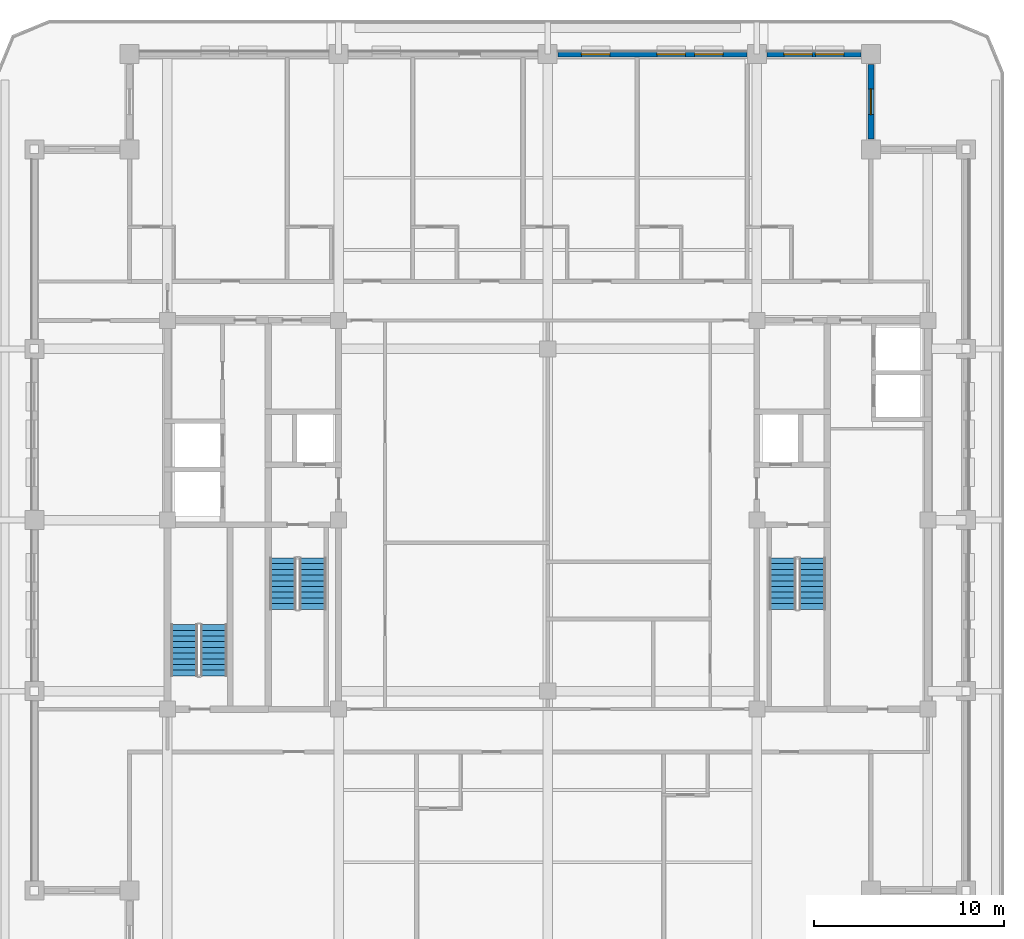
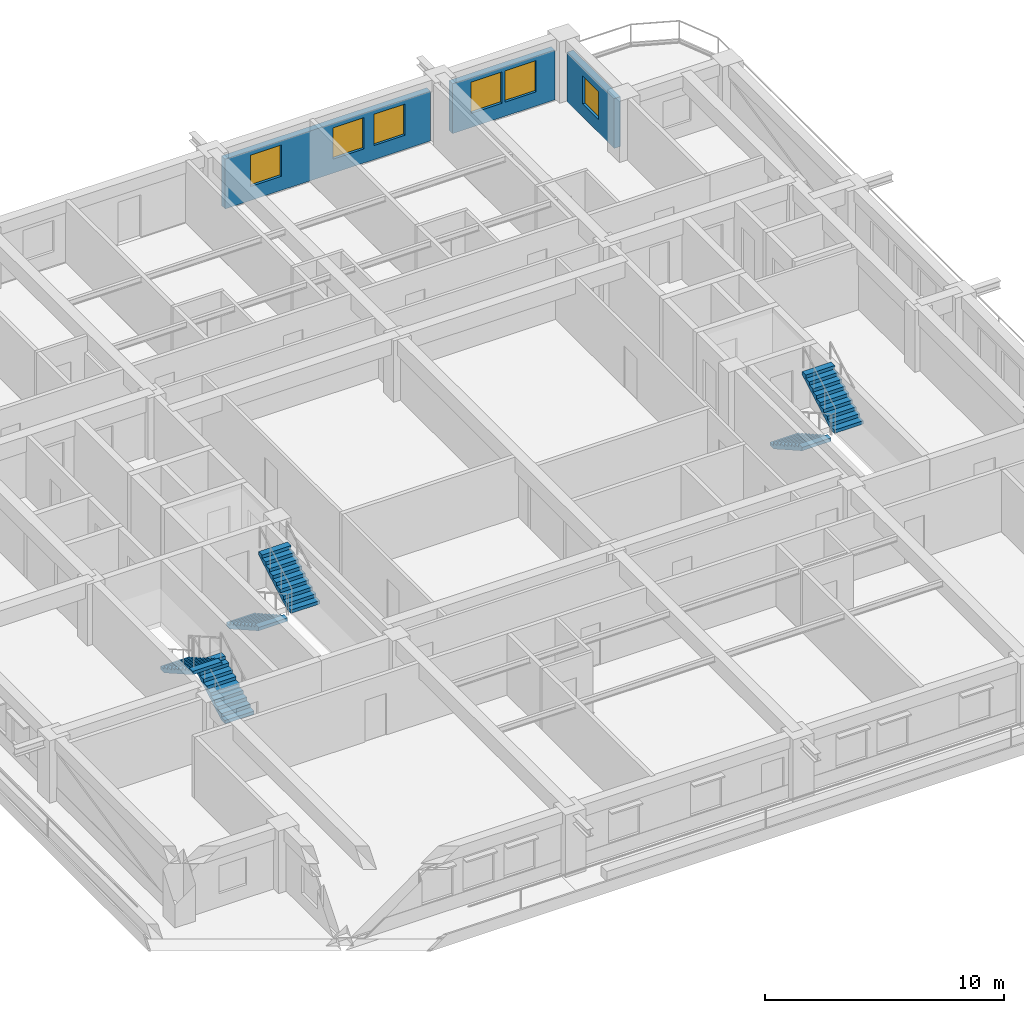
# One storey, part 7 of 14: 6 stair flights, 6 windows, 3 walls, 6 openings, 3 elements without a shape of their own.
"""IFC4 building model written with IfcOpenShell, lengths in metres."""

from ifc_helpers import new_model, si_unit, direction, frame, frame_2d, origin, place, context, subcontext, project, spatial, polyline, rectangle, outline, extrude, material, layer, layer_set, type_object, element, fill, aggregate, save


model = new_model("IFC4")

# Units and contexts
model_context = context("Model", 3, precision=1e-05, world=origin(), true_north=direction((0.0, 1.0)))
body_context = subcontext(model_context, "Body", "Model", "MODEL_VIEW")
ifc_project = project(units=[si_unit("LENGTHUNIT", "METRE"), si_unit("AREAUNIT", "SQUARE_METRE"), si_unit("VOLUMEUNIT", "CUBIC_METRE"), si_unit("PLANEANGLEUNIT", "RADIAN"), si_unit("MASSUNIT", "GRAM", prefix="KILO")], contexts=[model_context])

# Site, building, storey
site_placement = place(None, origin())
site = spatial("IfcSite", under=ifc_project, at=site_placement, CompositionType="ELEMENT")
building_placement = place(site_placement, origin())
building = spatial("IfcBuilding", under=site, at=building_placement, Name="Zulmaris Gate Convention Tower", CompositionType="ELEMENT")
storey_placement = place(building_placement, frame((0.0, 0.0, 194.85986328125)))
storey = spatial("IfcBuildingStorey", under=building, at=storey_placement, Name="L50", CompositionType="ELEMENT", Elevation=194.85986328125)

# Wall, opening, window
ifc_material_1 = material(Name="Precast concrete C40/50", Category="concrete")
ifc_layer_1 = layer(ifc_material_1, 0.300048828125, Name="Precast concrete C40/50")
ifc_layer_set_1 = layer_set([ifc_layer_1], Name="Precast concrete C40/50")
wall_type = type_object("IfcWallType", Name="PRECAST-PIER-300", PredefinedType="STANDARD", material=ifc_layer_set_1)
wall_1_placement = place(storey_placement, frame((17.0, 20.030029296875, 0.0), z_axis=(0.0, 0.0, 1.0), x_axis=(0.0, 1.0, 0.0)))
wall_1 = element("IfcWall", 1, at=wall_1_placement, inside=storey, type_object=wall_type, Name="EW-L50-NOTCH-NE2_0", PredefinedType="STANDARD", context=body_context, shape_type="SweptSolid", body=[
    extrude(rectangle(XDim=3.93994140625, YDim=0.300048828125, at=frame_2d((1.969970703125, 0.0))), origin(), (0.0, 0.0, 1.0), 2.542236328125),
])
opening_1_placement = place(wall_1_placement, frame((1.294921875, 0.0, 0.679931640625)))
opening_1 = element("IfcOpeningElement", 2, at=opening_1_placement, cuts=wall_1, Name="Opening W-10", PredefinedType="OPENING", context=body_context, shape_type="SweptSolid", body=[
    extrude(rectangle(XDim=1.35009765625, YDim=1.419921875, at=frame_2d((0.675048828125, 0.7099609375))), frame((0.0, 0.16015625, 0.0), z_axis=(0.0, -1.0, 0.0), x_axis=(1.0, 0.0, 0.0)), (0.0, 0.0, 1.0), 0.320068359375),
])
ifc_material_2 = material(Name="Low-E Laminated Double Glazing in Aluminium Frame", Category="aluminium")
window_type_1 = type_object("IfcWindowType", Name="WIN-1350x2000", PartitioningType="SINGLE_PANEL", PredefinedType="WINDOW", material=ifc_material_2)
window_1_placement = place(opening_1_placement, origin())
window_1 = element("IfcWindow", 3, at=window_1_placement, inside=storey, type_object=window_type_1, Name="WN-EW-L50-NOTCH-NE2_0", OverallHeight=1.419921875, OverallWidth=1.35009765625, PartitioningType="SINGLE_PANEL", PredefinedType="WINDOW", context=body_context, shape_type="SweptSolid", body=[
    extrude(rectangle(XDim=1.35009765625, YDim=1.419921875, at=frame_2d((0.675048828125, 0.7099609375))), frame((0.0, 0.030029296875, 0.0), z_axis=(0.0, -1.0, 0.0), x_axis=(1.0, 0.0, 0.0)), (0.0, 0.0, 1.0), 0.06005859375),
])
fill(opening_1, window_1)

# Wall, openings, windows
wall_2_placement = place(storey_placement, frame((10.469970703125, 24.5, 0.0), z_axis=(0.0, 0.0, 1.0), x_axis=(-1.0, 0.0, 0.0)))
wall_2 = element("IfcWall", 4, at=wall_2_placement, inside=storey, type_object=wall_type, Name="EW-L50-N-2_0", PredefinedType="STANDARD", context=body_context, shape_type="SweptSolid", body=[
    extrude(rectangle(XDim=9.93994140625, YDim=0.300048828125, at=frame_2d((4.969970703125, 0.0))), origin(), (0.0, 0.0, 1.0), 2.542236328125),
])
opening_2_placement = place(wall_2_placement, frame((1.238037109375, 0.0, 0.719970703125)))
opening_2 = element("IfcOpeningElement", 5, at=opening_2_placement, cuts=wall_2, Name="Opening W-03", PredefinedType="OPENING", context=body_context, shape_type="SweptSolid", body=[
    extrude(rectangle(XDim=1.5, YDim=1.60009765625, at=frame_2d((0.75, 0.800048828125))), frame((0.0, 0.16015625, 0.0), z_axis=(0.0, -1.0, 0.0), x_axis=(1.0, 0.0, 0.0)), (0.0, 0.0, 1.0), 0.320068359375),
])
opening_3_placement = place(wall_2_placement, frame((3.22607421875, 0.0, 0.719970703125)))
opening_3 = element("IfcOpeningElement", 6, at=opening_3_placement, cuts=wall_2, Name="Opening W-03", PredefinedType="OPENING", context=body_context, shape_type="SweptSolid", body=[
    extrude(rectangle(XDim=1.5, YDim=1.60009765625, at=frame_2d((0.75, 0.800048828125))), frame((0.0, 0.16015625, 0.0), z_axis=(0.0, -1.0, 0.0), x_axis=(1.0, 0.0, 0.0)), (0.0, 0.0, 1.0), 0.320068359375),
])
opening_4_placement = place(wall_2_placement, frame((7.201904296875, 0.0, 0.719970703125)))
opening_4 = element("IfcOpeningElement", 7, at=opening_4_placement, cuts=wall_2, Name="Opening W-03", PredefinedType="OPENING", context=body_context, shape_type="SweptSolid", body=[
    extrude(rectangle(XDim=1.5, YDim=1.60009765625, at=frame_2d((0.75, 0.800048828125))), frame((0.0, 0.16015625, 0.0), z_axis=(0.0, -1.0, 0.0), x_axis=(1.0, 0.0, 0.0)), (0.0, 0.0, 1.0), 0.320068359375),
])
window_type_2 = type_object("IfcWindowType", Name="WIN-1500x2100", PartitioningType="SINGLE_PANEL", PredefinedType="WINDOW", material=ifc_material_2)
window_2_placement = place(opening_2_placement, origin())
window_2 = element("IfcWindow", 8, at=window_2_placement, inside=storey, type_object=window_type_2, Name="WN-EW-L50-N-2_0-1", OverallHeight=1.60009765625, OverallWidth=1.5, PartitioningType="SINGLE_PANEL", PredefinedType="WINDOW", context=body_context, shape_type="SweptSolid", body=[
    extrude(rectangle(XDim=1.5, YDim=1.60009765625, at=frame_2d((0.75, 0.800048828125))), frame((0.0, 0.030029296875, 0.0), z_axis=(0.0, -1.0, 0.0), x_axis=(1.0, 0.0, 0.0)), (0.0, 0.0, 1.0), 0.06005859375),
])
fill(opening_2, window_2)
window_3_placement = place(opening_3_placement, origin())
window_3 = element("IfcWindow", 9, at=window_3_placement, inside=storey, type_object=window_type_2, Name="WN-EW-L50-N-2_0-2", OverallHeight=1.60009765625, OverallWidth=1.5, PartitioningType="SINGLE_PANEL", PredefinedType="WINDOW", context=body_context, shape_type="SweptSolid", body=[
    extrude(rectangle(XDim=1.5, YDim=1.60009765625, at=frame_2d((0.75, 0.800048828125))), frame((0.0, 0.030029296875, 0.0), z_axis=(0.0, -1.0, 0.0), x_axis=(1.0, 0.0, 0.0)), (0.0, 0.0, 1.0), 0.06005859375),
])
fill(opening_3, window_3)
window_4_placement = place(opening_4_placement, origin())
window_4 = element("IfcWindow", 10, at=window_4_placement, inside=storey, type_object=window_type_2, Name="WN-EW-L50-N-2_0-4", OverallHeight=1.60009765625, OverallWidth=1.5, PartitioningType="SINGLE_PANEL", PredefinedType="WINDOW", context=body_context, shape_type="SweptSolid", body=[
    extrude(rectangle(XDim=1.5, YDim=1.60009765625, at=frame_2d((0.75, 0.800048828125))), frame((0.0, 0.030029296875, 0.0), z_axis=(0.0, -1.0, 0.0), x_axis=(1.0, 0.0, 0.0)), (0.0, 0.0, 1.0), 0.06005859375),
])
fill(opening_4, window_4)

wall_3_placement = place(storey_placement, frame((16.469970703125, 24.5, 0.0), z_axis=(0.0, 0.0, 1.0), x_axis=(-1.0, 0.0, 0.0)))
wall_3 = element("IfcWall", 11, at=wall_3_placement, inside=storey, type_object=wall_type, Name="EW-L50-N-3_0", PredefinedType="STANDARD", context=body_context, shape_type="SweptSolid", body=[
    extrude(rectangle(XDim=4.93994140625, YDim=0.300048828125, at=frame_2d((2.469970703125, 0.0))), origin(), (0.0, 0.0, 1.0), 2.542236328125),
])
opening_5_placement = place(wall_3_placement, frame((0.89697265625, 0.0, 0.719970703125)))
opening_5 = element("IfcOpeningElement", 12, at=opening_5_placement, cuts=wall_3, Name="Opening W-03", PredefinedType="OPENING", context=body_context, shape_type="SweptSolid", body=[
    extrude(rectangle(XDim=1.5, YDim=1.60009765625, at=frame_2d((0.75, 0.800048828125))), frame((0.0, 0.16015625, 0.0), z_axis=(0.0, -1.0, 0.0), x_axis=(1.0, 0.0, 0.0)), (0.0, 0.0, 1.0), 0.320068359375),
])
opening_6_placement = place(wall_3_placement, frame((2.54296875, 0.0, 0.719970703125)))
opening_6 = element("IfcOpeningElement", 13, at=opening_6_placement, cuts=wall_3, Name="Opening W-03", PredefinedType="OPENING", context=body_context, shape_type="SweptSolid", body=[
    extrude(rectangle(XDim=1.5, YDim=1.60009765625, at=frame_2d((0.75, 0.800048828125))), frame((0.0, 0.16015625, 0.0), z_axis=(0.0, -1.0, 0.0), x_axis=(1.0, 0.0, 0.0)), (0.0, 0.0, 1.0), 0.320068359375),
])
window_5_placement = place(opening_5_placement, origin())
window_5 = element("IfcWindow", 14, at=window_5_placement, inside=storey, type_object=window_type_2, Name="WN-EW-L50-N-3_0-1", OverallHeight=1.60009765625, OverallWidth=1.5, PartitioningType="SINGLE_PANEL", PredefinedType="WINDOW", context=body_context, shape_type="SweptSolid", body=[
    extrude(rectangle(XDim=1.5, YDim=1.60009765625, at=frame_2d((0.75, 0.800048828125))), frame((0.0, 0.030029296875, 0.0), z_axis=(0.0, -1.0, 0.0), x_axis=(1.0, 0.0, 0.0)), (0.0, 0.0, 1.0), 0.06005859375),
])
fill(opening_5, window_5)
window_6_placement = place(opening_6_placement, origin())
window_6 = element("IfcWindow", 15, at=window_6_placement, inside=storey, type_object=window_type_2, Name="WN-EW-L50-N-3_0-2", OverallHeight=1.60009765625, OverallWidth=1.5, PartitioningType="SINGLE_PANEL", PredefinedType="WINDOW", context=body_context, shape_type="SweptSolid", body=[
    extrude(rectangle(XDim=1.5, YDim=1.60009765625, at=frame_2d((0.75, 0.800048828125))), frame((0.0, 0.030029296875, 0.0), z_axis=(0.0, -1.0, 0.0), x_axis=(1.0, 0.0, 0.0)), (0.0, 0.0, 1.0), 0.06005859375),
])
fill(opening_6, window_6)

# Stair, stair flights
ifc_material_3 = material(Name="Concrete C45/55", Category="concrete")
stair_type = type_object("IfcStairType", Name="ST-CORE-DOGLEG", PredefinedType="HALF_TURN_STAIR", material=ifc_material_3)
stair_1_placement = place(storey_placement, origin())
stair_1 = element("IfcStair", 16, at=stair_1_placement, inside=storey, type_object=stair_type, Name="L50 Core Exit Stair ST-1", PredefinedType="HALF_TURN_STAIR")
ifc_layer_2 = layer(ifc_material_3, 0.14990234375, Name="Concrete C45/55")
ifc_layer_set_2 = layer_set([ifc_layer_2], Name="Concrete C45/55")
stair_flight_type = type_object("IfcStairFlightType", Name="STF-RC150", PredefinedType="STRAIGHT", material=ifc_layer_set_2)
stair_flight_1_placement = place(storey_placement, frame((-13.919921875, -2.0, 0.0), z_axis=(0.0, 0.0, 1.0), x_axis=(0.0, -1.0, 0.0)))
stair_flight_1 = element("IfcStairFlight", 17, at=stair_flight_1_placement, type_object=stair_flight_type, Name="ST-1 flight 1", NumberOfRisers=10, NumberOfTreads=9, PredefinedType="STRAIGHT", RiserHeight=0.170005, TreadLength=0.3, context=body_context, shape_type="SweptSolid", body=[
    extrude(outline(polyline([(0.0, 0.0), (0.0, 0.169921875), (0.300048828125, 0.169921875), (0.300048828125, 0.340087890625), (0.60009765625, 0.340087890625), (0.60009765625, 0.510009765625), (0.89990234375, 0.510009765625), (0.89990234375, 0.679931640625), (1.199951171875, 0.679931640625), (1.199951171875, 0.85009765625), (1.5, 0.85009765625), (1.5, 1.02001953125), (1.800048828125, 1.02001953125), (1.800048828125, 1.18994140625), (2.10009765625, 1.18994140625), (2.10009765625, 1.360107421875), (2.39990234375, 1.360107421875), (2.39990234375, 1.530029296875), (2.699951171875, 1.530029296875), (2.699951171875, 1.699951171875), (2.699951171875, 1.357666015625), (0.303955078125, 0.0), (0.0, 0.0)])), frame((0.0, 0.699951171875, 0.0), z_axis=(0.0, -1.0, 0.0), x_axis=(1.0, 0.0, 0.0)), (0.0, 0.0, 1.0), 1.39990234375),
])
stair_flight_2_placement = place(storey_placement, frame((-12.360107421875, -4.699951171875, 1.7001953125), z_axis=(0.0, 0.0, 1.0), x_axis=(0.0, 1.0, 0.0)))
stair_flight_2 = element("IfcStairFlight", 18, at=stair_flight_2_placement, type_object=stair_flight_type, Name="ST-1 flight 2", NumberOfRisers=10, NumberOfTreads=9, PredefinedType="STRAIGHT", RiserHeight=0.170005, TreadLength=0.3, context=body_context, shape_type="SweptSolid", body=[
    extrude(outline(polyline([(0.0, 0.0), (0.0, 0.169921875), (0.300048828125, 0.169921875), (0.300048828125, 0.340087890625), (0.60009765625, 0.340087890625), (0.60009765625, 0.510009765625), (0.89990234375, 0.510009765625), (0.89990234375, 0.679931640625), (1.199951171875, 0.679931640625), (1.199951171875, 0.85009765625), (1.5, 0.85009765625), (1.5, 1.02001953125), (1.800048828125, 1.02001953125), (1.800048828125, 1.18994140625), (2.10009765625, 1.18994140625), (2.10009765625, 1.360107421875), (2.39990234375, 1.360107421875), (2.39990234375, 1.530029296875), (2.699951171875, 1.530029296875), (2.699951171875, 1.699951171875), (2.699951171875, 1.357666015625), (0.303955078125, 0.0), (0.0, 0.0)])), frame((0.0, 0.699951171875, 0.0), z_axis=(0.0, -1.0, 0.0), x_axis=(1.0, 0.0, 0.0)), (0.0, 0.0, 1.0), 1.39990234375),
])
aggregate(stair_1, [stair_flight_1, stair_flight_2])

stair_2_placement = place(storey_placement, origin())
stair_2 = element("IfcStair", 19, at=stair_2_placement, inside=storey, type_object=stair_type, Name="L50 Core Exit Stair ST-2", PredefinedType="HALF_TURN_STAIR")
stair_flight_3_placement = place(storey_placement, frame((12.360107421875, -2.0, 0.0), z_axis=(0.0, 0.0, 1.0), x_axis=(0.0, -1.0, 0.0)))
stair_flight_3 = element("IfcStairFlight", 20, at=stair_flight_3_placement, type_object=stair_flight_type, Name="ST-2 flight 1", NumberOfRisers=10, NumberOfTreads=9, PredefinedType="STRAIGHT", RiserHeight=0.170005, TreadLength=0.3, context=body_context, shape_type="SweptSolid", body=[
    extrude(outline(polyline([(0.0, 0.0), (0.0, 0.169921875), (0.300048828125, 0.169921875), (0.300048828125, 0.340087890625), (0.60009765625, 0.340087890625), (0.60009765625, 0.510009765625), (0.89990234375, 0.510009765625), (0.89990234375, 0.679931640625), (1.199951171875, 0.679931640625), (1.199951171875, 0.85009765625), (1.5, 0.85009765625), (1.5, 1.02001953125), (1.800048828125, 1.02001953125), (1.800048828125, 1.18994140625), (2.10009765625, 1.18994140625), (2.10009765625, 1.360107421875), (2.39990234375, 1.360107421875), (2.39990234375, 1.530029296875), (2.699951171875, 1.530029296875), (2.699951171875, 1.699951171875), (2.699951171875, 1.357666015625), (0.303955078125, 0.0), (0.0, 0.0)])), frame((0.0, 0.699951171875, 0.0), z_axis=(0.0, -1.0, 0.0), x_axis=(1.0, 0.0, 0.0)), (0.0, 0.0, 1.0), 1.39990234375),
])
stair_flight_4_placement = place(storey_placement, frame((13.919921875, -4.699951171875, 1.7001953125), z_axis=(0.0, 0.0, 1.0), x_axis=(0.0, 1.0, 0.0)))
stair_flight_4 = element("IfcStairFlight", 21, at=stair_flight_4_placement, type_object=stair_flight_type, Name="ST-2 flight 2", NumberOfRisers=10, NumberOfTreads=9, PredefinedType="STRAIGHT", RiserHeight=0.170005, TreadLength=0.3, context=body_context, shape_type="SweptSolid", body=[
    extrude(outline(polyline([(0.0, 0.0), (0.0, 0.169921875), (0.300048828125, 0.169921875), (0.300048828125, 0.340087890625), (0.60009765625, 0.340087890625), (0.60009765625, 0.510009765625), (0.89990234375, 0.510009765625), (0.89990234375, 0.679931640625), (1.199951171875, 0.679931640625), (1.199951171875, 0.85009765625), (1.5, 0.85009765625), (1.5, 1.02001953125), (1.800048828125, 1.02001953125), (1.800048828125, 1.18994140625), (2.10009765625, 1.18994140625), (2.10009765625, 1.360107421875), (2.39990234375, 1.360107421875), (2.39990234375, 1.530029296875), (2.699951171875, 1.530029296875), (2.699951171875, 1.699951171875), (2.699951171875, 1.357666015625), (0.303955078125, 0.0), (0.0, 0.0)])), frame((0.0, 0.699951171875, 0.0), z_axis=(0.0, -1.0, 0.0), x_axis=(1.0, 0.0, 0.0)), (0.0, 0.0, 1.0), 1.39990234375),
])
aggregate(stair_2, [stair_flight_3, stair_flight_4])

stair_3_placement = place(storey_placement, origin())
stair_3 = element("IfcStair", 22, at=stair_3_placement, inside=storey, type_object=stair_type, Name="L50 Core Exit Stair ST-3", PredefinedType="HALF_TURN_STAIR")
stair_flight_5_placement = place(storey_placement, frame((-17.56005859375, -8.199951171875, 0.0), z_axis=(0.0, 0.0, 1.0), x_axis=(0.0, 1.0, 0.0)))
stair_flight_5 = element("IfcStairFlight", 23, at=stair_flight_5_placement, type_object=stair_flight_type, Name="ST-3 flight 1", NumberOfRisers=10, NumberOfTreads=9, PredefinedType="STRAIGHT", RiserHeight=0.170005, TreadLength=0.3, context=body_context, shape_type="SweptSolid", body=[
    extrude(outline(polyline([(0.0, 0.0), (0.0, 0.169921875), (0.300048828125, 0.169921875), (0.300048828125, 0.340087890625), (0.60009765625, 0.340087890625), (0.60009765625, 0.510009765625), (0.89990234375, 0.510009765625), (0.89990234375, 0.679931640625), (1.199951171875, 0.679931640625), (1.199951171875, 0.85009765625), (1.5, 0.85009765625), (1.5, 1.02001953125), (1.800048828125, 1.02001953125), (1.800048828125, 1.18994140625), (2.10009765625, 1.18994140625), (2.10009765625, 1.360107421875), (2.39990234375, 1.360107421875), (2.39990234375, 1.530029296875), (2.699951171875, 1.530029296875), (2.699951171875, 1.699951171875), (2.699951171875, 1.357666015625), (0.303955078125, 0.0), (0.0, 0.0)])), frame((0.0, 0.699951171875, 0.0), z_axis=(0.0, -1.0, 0.0), x_axis=(1.0, 0.0, 0.0)), (0.0, 0.0, 1.0), 1.39990234375),
])
stair_flight_6_placement = place(storey_placement, frame((-19.1201171875, -5.5, 1.7001953125), z_axis=(0.0, 0.0, 1.0), x_axis=(0.0, -1.0, 0.0)))
stair_flight_6 = element("IfcStairFlight", 24, at=stair_flight_6_placement, type_object=stair_flight_type, Name="ST-3 flight 2", NumberOfRisers=10, NumberOfTreads=9, PredefinedType="STRAIGHT", RiserHeight=0.170005, TreadLength=0.3, context=body_context, shape_type="SweptSolid", body=[
    extrude(outline(polyline([(0.0, 0.0), (0.0, 0.169921875), (0.300048828125, 0.169921875), (0.300048828125, 0.340087890625), (0.60009765625, 0.340087890625), (0.60009765625, 0.510009765625), (0.89990234375, 0.510009765625), (0.89990234375, 0.679931640625), (1.199951171875, 0.679931640625), (1.199951171875, 0.85009765625), (1.5, 0.85009765625), (1.5, 1.02001953125), (1.800048828125, 1.02001953125), (1.800048828125, 1.18994140625), (2.10009765625, 1.18994140625), (2.10009765625, 1.360107421875), (2.39990234375, 1.360107421875), (2.39990234375, 1.530029296875), (2.699951171875, 1.530029296875), (2.699951171875, 1.699951171875), (2.699951171875, 1.357666015625), (0.303955078125, 0.0), (0.0, 0.0)])), frame((0.0, 0.699951171875, 0.0), z_axis=(0.0, -1.0, 0.0), x_axis=(1.0, 0.0, 0.0)), (0.0, 0.0, 1.0), 1.39990234375),
])
aggregate(stair_3, [stair_flight_5, stair_flight_6])

save(model, "model.ifc")
